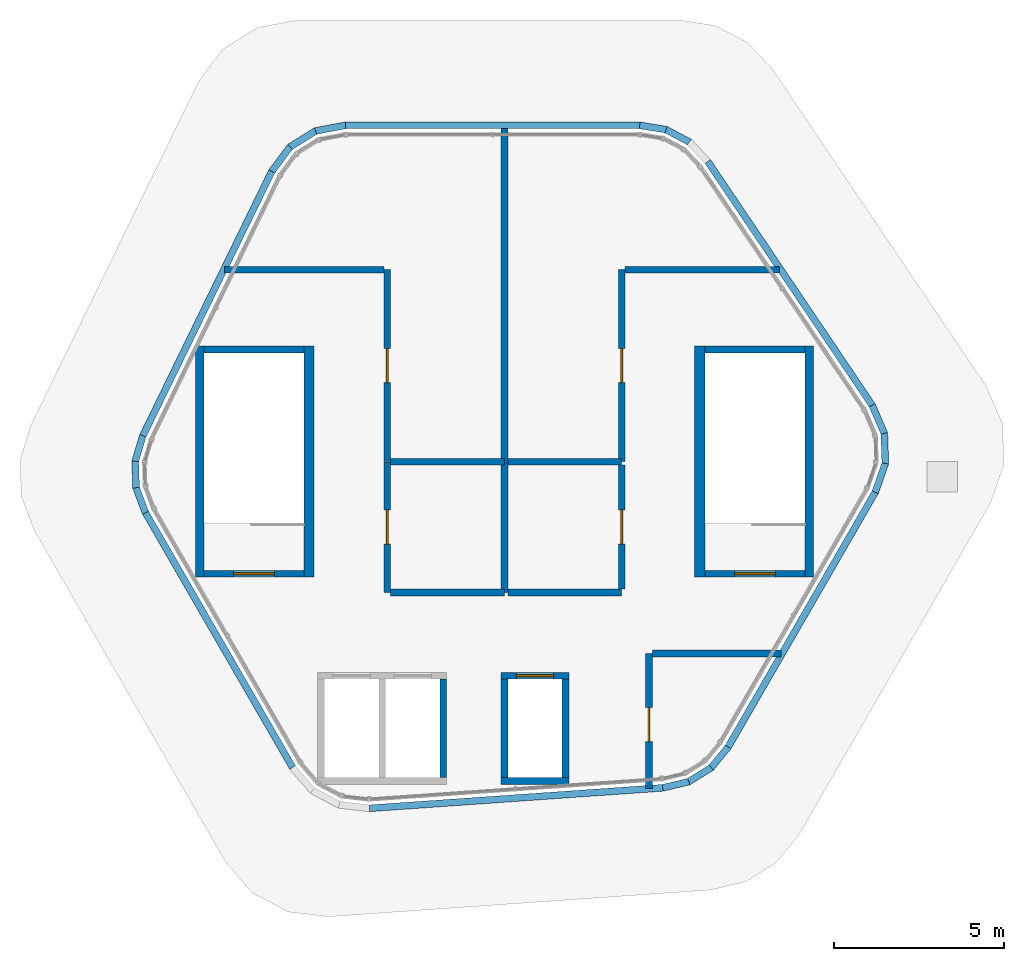
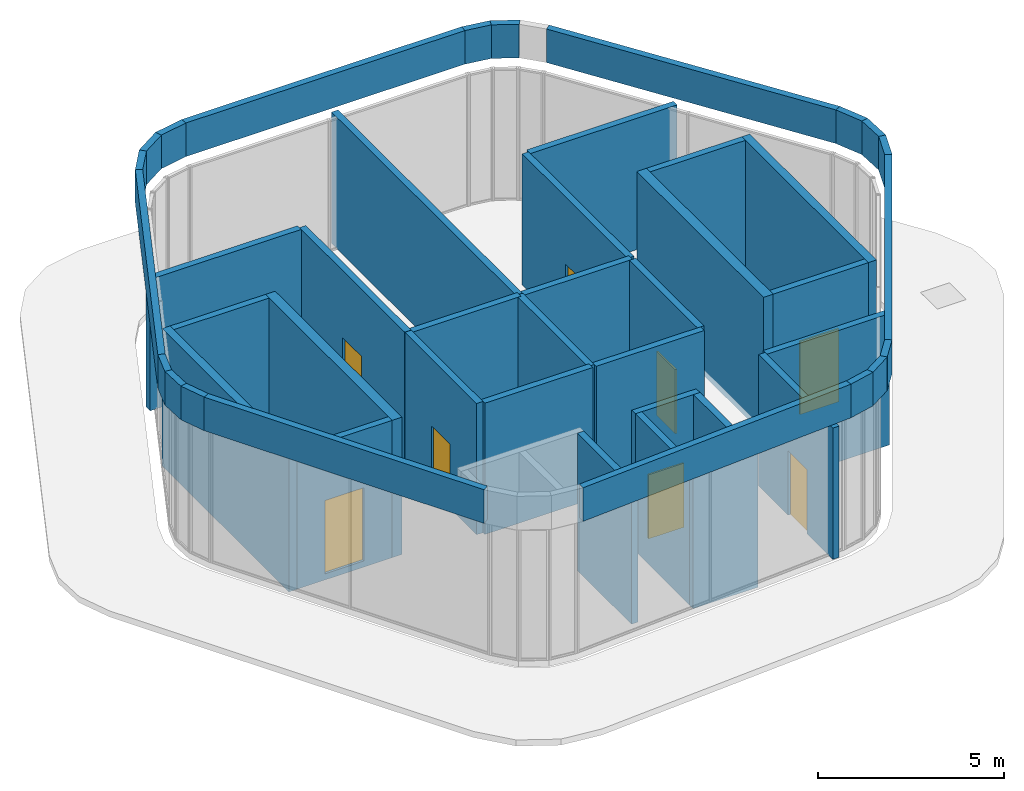
# One storey, part 4 of 6: 47 walls, 8 doors, 8 openings.
"""IFC4 building model written with IfcOpenShell, lengths in metres."""

from ifc_helpers import new_model, si_unit, direction, frame, frame_2d, origin, place, context, subcontext, project, spatial, polyline, rectangle, outline, extrude, material, layer, layer_set, type_object, element, fill, save


model = new_model("IFC4")

# Units and contexts
model_context = context("Model", 3, precision=1e-05, world=origin(), true_north=direction((0.0, 1.0)))
body_context = subcontext(model_context, "Body", "Model", "MODEL_VIEW")
ifc_project = project(units=[si_unit("LENGTHUNIT", "METRE"), si_unit("AREAUNIT", "SQUARE_METRE"), si_unit("VOLUMEUNIT", "CUBIC_METRE"), si_unit("PLANEANGLEUNIT", "RADIAN"), si_unit("MASSUNIT", "GRAM", prefix="KILO")], contexts=[model_context])

# Site, building, storey
site_placement = place(None, origin())
site = spatial("IfcSite", under=ifc_project, at=site_placement, CompositionType="ELEMENT")
building_placement = place(site_placement, origin())
building = spatial("IfcBuilding", under=site, at=building_placement, Name="Tarnside Tower", CompositionType="ELEMENT")
storey_placement = place(building_placement, frame((0.0, 0.0, 406.199951171875)))
storey = spatial("IfcBuildingStorey", under=building, at=storey_placement, Name="L96", CompositionType="ELEMENT", Elevation=406.199951171875)

# Wall
ifc_material_1 = material(Name="Concrete C40/50", Category="concrete")
ifc_layer_1 = layer(ifc_material_1, 0.199951171875)
ifc_layer_set_1 = layer_set([ifc_layer_1], Name="Lift shaft wall 200 C40/50")
wall_type_1 = type_object("IfcWallType", Name="Lift shaft wall 200 C40/50", PredefinedType="SHEAR", material=ifc_layer_set_1)
wall_1_placement = place(storey_placement, frame((-1.800048828125, -9.300048828125, -0.199951171875), z_axis=(0.0, 0.0, 1.0), x_axis=(0.0, 1.0, 0.0)))
element("IfcWall", 1, at=wall_1_placement, inside=storey, type_object=wall_type_1, Name="L96 lift shaft partition R43", PredefinedType="SHEAR", context=body_context, shape_type="SweptSolid", body=[
    extrude(rectangle(XDim=2.900146484375, YDim=0.199951171875, at=frame_2d((1.4501953125, 0.0))), origin(), (0.0, 0.0, 1.0), 4.5),
])

# Wall, opening, door
wall_2_placement = place(storey_placement, frame((-0.10009765625, -6.300048828125, -0.199951171875), z_axis=(0.0, 0.0, 1.0), x_axis=(1.0, 0.0, 0.0)))
wall_2 = element("IfcWall", 2, at=wall_2_placement, inside=storey, type_object=wall_type_1, Name="L96 lift shaft front wall R41", PredefinedType="SHEAR", context=body_context, shape_type="SweptSolid", body=[
    extrude(rectangle(XDim=2.0, YDim=0.199951171875, at=frame_2d((1.0, 0.0))), origin(), (0.0, 0.0, 1.0), 4.5),
])
opening_1_placement = place(wall_2_placement, frame((0.449951171875, 0.0, 0.199951171875)))
opening_1 = element("IfcOpeningElement", 3, at=opening_1_placement, cuts=wall_2, Name="Opening LDF", PredefinedType="OPENING", context=body_context, shape_type="SweptSolid", body=[
    extrude(rectangle(XDim=1.10009765625, YDim=2.10009765625, at=frame_2d((0.550048828125, 1.050048828125))), frame((0.0, 0.10986328125, 0.0), z_axis=(0.0, -1.0, 0.0), x_axis=(1.0, 0.0, 0.0)), (0.0, 0.0, 1.0), 0.219970703125),
])
ifc_material_2 = material(Name="Stainless steel", Category="steel")
door_type_1 = type_object("IfcDoorType", Name="Lift landing door 1100x2100 EI 120", OperationType="NOTDEFINED", PredefinedType="DOOR", material=ifc_material_2)
door_1_placement = place(opening_1_placement, origin())
door_1 = element("IfcDoor", 4, at=door_1_placement, inside=storey, type_object=door_type_1, Name="Firefighting lift 4 landing door L96", OperationType="SLIDING_TO_LEFT", OverallHeight=2.10009765625, OverallWidth=1.10009765625, PredefinedType="DOOR", context=body_context, shape_type="SweptSolid", body=[
    extrude(rectangle(XDim=1.10009765625, YDim=2.10009765625, at=frame_2d((0.550048828125, 1.050048828125))), frame((0.0, 0.02490234375, 0.0), z_axis=(0.0, -1.0, 0.0), x_axis=(1.0, 0.0, 0.0)), (0.0, 0.0, 1.0), 0.050048828125),
])
fill(opening_1, door_1)

# Walls
wall_3_placement = place(storey_placement, frame((-0.10009765625, -9.39990234375, -0.199951171875), z_axis=(0.0, 0.0, 1.0), x_axis=(1.0, 0.0, 0.0)))
element("IfcWall", 5, at=wall_3_placement, inside=storey, type_object=wall_type_1, Name="L96 lift shaft back wall R41", PredefinedType="SHEAR", context=body_context, shape_type="SweptSolid", body=[
    extrude(rectangle(XDim=2.0, YDim=0.199951171875, at=frame_2d((1.0, 0.0))), origin(), (0.0, 0.0, 1.0), 4.5),
])
for number, where, z_axis, x_axis, name in (
    (6, (0.0, -9.300048828125, -0.199951171875), (0.0, 0.0, 1.0), (0.0, 1.0, 0.0), "L96 lift shaft partition R411"),
    (7, (1.800048828125, -9.300048828125, -0.199951171875), (0.0, 0.0, 1.0), (0.0, 1.0, 0.0), "L96 lift shaft partition R412"),
):
    element("IfcWall", number, at=place(storey_placement, frame(where, z_axis=z_axis, x_axis=x_axis)), inside=storey, type_object=wall_type_1, Name=name, PredefinedType="SHEAR", context=body_context, shape_type="SweptSolid", body=[
        extrude(rectangle(XDim=2.900146484375, YDim=0.199951171875, at=frame_2d((1.4501953125, 0.0))), origin(), (0.0, 0.0, 1.0), 4.5),
    ])
wall_4_placement = place(storey_placement, frame((5.89990234375, 3.300048828125, -0.199951171875), z_axis=(0.0, 0.0, 1.0), x_axis=(1.0, 0.0, 0.0)))
element("IfcWall", 8, at=wall_4_placement, inside=storey, type_object=wall_type_1, Name="L96 stair 1 enclosure cap wall n", PredefinedType="SHEAR", context=body_context, shape_type="SweptSolid", body=[
    extrude(rectangle(XDim=2.9501953125, YDim=0.199951171875, at=frame_2d((1.47509765625, 0.0))), origin(), (0.0, 0.0, 1.0), 4.5),
])

# Wall, opening, door
wall_5_placement = place(storey_placement, frame((5.89990234375, -3.300048828125, -0.199951171875), z_axis=(0.0, 0.0, 1.0), x_axis=(1.0, 0.0, 0.0)))
wall_5 = element("IfcWall", 9, at=wall_5_placement, inside=storey, type_object=wall_type_1, Name="L96 stair 1 enclosure cap wall s", PredefinedType="SHEAR", context=body_context, shape_type="SweptSolid", body=[
    extrude(rectangle(XDim=2.9501953125, YDim=0.199951171875, at=frame_2d((1.47509765625, 0.0))), origin(), (0.0, 0.0, 1.0), 4.5),
])
opening_2_placement = place(wall_5_placement, frame((0.875, 0.0, 0.199951171875)))
opening_2 = element("IfcOpeningElement", 10, at=opening_2_placement, cuts=wall_5, Name="Opening CD-STR", PredefinedType="OPENING", context=body_context, shape_type="SweptSolid", body=[
    extrude(rectangle(XDim=1.199951171875, YDim=2.39990234375, at=frame_2d((0.60009765625, 1.199951171875))), frame((0.0, 0.10986328125, 0.0), z_axis=(0.0, -1.0, 0.0), x_axis=(1.0, 0.0, 0.0)), (0.0, 0.0, 1.0), 0.219970703125),
])
ifc_material_3 = material(Name="Steel fire door", Category="steel")
door_type_2 = type_object("IfcDoorType", Name="Stair door FD60S 1200x2400", OperationType="NOTDEFINED", PredefinedType="DOOR", material=ifc_material_3)
door_2_placement = place(opening_2_placement, origin())
door_2 = element("IfcDoor", 11, at=door_2_placement, inside=storey, type_object=door_type_2, Name="L96 stair 1 door", OperationType="SINGLE_SWING_LEFT", OverallHeight=2.39990234375, OverallWidth=1.199951171875, PredefinedType="DOOR", context=body_context, shape_type="SweptSolid", body=[
    extrude(rectangle(XDim=1.199951171875, YDim=2.39990234375, at=frame_2d((0.60009765625, 1.199951171875))), frame((0.0, 0.02490234375, 0.0), z_axis=(0.0, -1.0, 0.0), x_axis=(1.0, 0.0, 0.0)), (0.0, 0.0, 1.0), 0.050048828125),
])
fill(opening_2, door_2)

# Wall
wall_6_placement = place(storey_placement, frame((-8.85009765625, 3.300048828125, -0.199951171875), z_axis=(0.0, 0.0, 1.0), x_axis=(1.0, 0.0, 0.0)))
element("IfcWall", 12, at=wall_6_placement, inside=storey, type_object=wall_type_1, Name="L96 stair 2 enclosure cap wall n", PredefinedType="SHEAR", context=body_context, shape_type="SweptSolid", body=[
    extrude(rectangle(XDim=2.9501953125, YDim=0.199951171875, at=frame_2d((1.47509765625, 0.0))), origin(), (0.0, 0.0, 1.0), 4.5),
])

# Wall, opening, door
wall_7_placement = place(storey_placement, frame((-8.85009765625, -3.300048828125, -0.199951171875), z_axis=(0.0, 0.0, 1.0), x_axis=(1.0, 0.0, 0.0)))
wall_7 = element("IfcWall", 13, at=wall_7_placement, inside=storey, type_object=wall_type_1, Name="L96 stair 2 enclosure cap wall s", PredefinedType="SHEAR", context=body_context, shape_type="SweptSolid", body=[
    extrude(rectangle(XDim=2.9501953125, YDim=0.199951171875, at=frame_2d((1.47509765625, 0.0))), origin(), (0.0, 0.0, 1.0), 4.5),
])
opening_3_placement = place(wall_7_placement, frame((0.875, 0.0, 0.199951171875)))
opening_3 = element("IfcOpeningElement", 14, at=opening_3_placement, cuts=wall_7, Name="Opening CD-STR", PredefinedType="OPENING", context=body_context, shape_type="SweptSolid", body=[
    extrude(rectangle(XDim=1.199951171875, YDim=2.39990234375, at=frame_2d((0.60009765625, 1.199951171875))), frame((0.0, 0.10986328125, 0.0), z_axis=(0.0, -1.0, 0.0), x_axis=(1.0, 0.0, 0.0)), (0.0, 0.0, 1.0), 0.219970703125),
])
door_3_placement = place(opening_3_placement, origin())
door_3 = element("IfcDoor", 15, at=door_3_placement, inside=storey, type_object=door_type_2, Name="L96 stair 2 door", OperationType="SINGLE_SWING_LEFT", OverallHeight=2.39990234375, OverallWidth=1.199951171875, PredefinedType="DOOR", context=body_context, shape_type="SweptSolid", body=[
    extrude(rectangle(XDim=1.199951171875, YDim=2.39990234375, at=frame_2d((0.60009765625, 1.199951171875))), frame((0.0, 0.02490234375, 0.0), z_axis=(0.0, -1.0, 0.0), x_axis=(1.0, 0.0, 0.0)), (0.0, 0.0, 1.0), 0.050048828125),
])
fill(opening_3, door_3)

# Walls
ifc_material_4 = material(Name="Concrete C35/45 precast", Category="concrete")
ifc_layer_2 = layer(ifc_material_4, 0.199951171875)
ifc_layer_set_2 = layer_set([ifc_layer_2], Name="Parapet 200 x 1100")
wall_type_2 = type_object("IfcWallType", Name="Parapet 200 x 1100", PredefinedType="PARAPET", material=ifc_layer_set_2)
wall_8_placement = place(storey_placement, frame((3.979736328125, 9.89990234375, 4.5), z_axis=(0.0, 0.0, 1.0), x_axis=(0.986777234729, -0.162082352589, 0.0)))
element("IfcWall", 16, at=wall_8_placement, inside=storey, type_object=wall_type_2, Name="Roof parapet 01", PredefinedType="PARAPET", context=body_context, shape_type="SweptSolid", body=[
    extrude(outline(polyline([(0.008056640625, -0.10009765625), (0.77001953125, -0.10009765625), (0.802734375, 0.10009765625), (-0.008056640625, 0.10009765625), (0.008056640625, -0.10009765625)])), origin(), (0.0, 0.0, 1.0), 1.10009765625),
])
wall_9_placement = place(storey_placement, frame((4.755615234375, 9.7724609375, 4.5), z_axis=(0.0, 0.0, 1.0), x_axis=(0.882908380549, -0.469545302986, 0.0)))
element("IfcWall", 17, at=wall_9_placement, inside=storey, type_object=wall_type_2, Name="Roof parapet 02", PredefinedType="PARAPET", context=body_context, shape_type="SweptSolid", body=[
    extrude(outline(polyline([(0.016357421875, -0.10009765625), (0.761474609375, -0.10009765625), (0.794189453125, 0.10009765625), (-0.016357421875, 0.10009765625), (0.016357421875, -0.10009765625)])), origin(), (0.0, 0.0, 1.0), 1.10009765625),
])
wall_10_placement = place(storey_placement, frame((5.982177734375, 8.835205078125, 4.5), z_axis=(0.0, 0.0, 1.0), x_axis=(0.559195765234, -0.829035642264, 0.0)))
element("IfcWall", 18, at=wall_10_placement, inside=storey, type_object=wall_type_2, Name="Roof parapet 04", PredefinedType="PARAPET", context=body_context, shape_type="SweptSolid", body=[
    extrude(outline(polyline([(0.008056640625, -0.10009765625), (8.6474609375, -0.10009765625), (8.666015625, 0.10009765625), (-0.008056640625, 0.10009765625), (0.008056640625, -0.10009765625)])), origin(), (0.0, 0.0, 1.0), 1.10009765625),
])
wall_11_placement = place(storey_placement, frame((10.822998046875, 1.658447265625, 4.5), z_axis=(0.0, 0.0, 1.0), x_axis=(0.395888689174, -0.918298505816, 0.0)))
element("IfcWall", 19, at=wall_11_placement, inside=storey, type_object=wall_type_2, Name="Roof parapet 05", PredefinedType="PARAPET", context=body_context, shape_type="SweptSolid", body=[
    extrude(outline(polyline([(0.00927734375, -0.10009765625), (0.87841796875, -0.10009765625), (0.916015625, 0.10009765625), (-0.00927734375, 0.10009765625), (0.00927734375, -0.10009765625)])), origin(), (0.0, 0.0, 1.0), 1.10009765625),
])
wall_12_placement = place(storey_placement, frame((11.17822265625, 0.83447265625, 4.5), z_axis=(0.0, 0.0, 1.0), x_axis=(0.034926393973, -0.999389887383, 0.0)))
element("IfcWall", 20, at=wall_12_placement, inside=storey, type_object=wall_type_2, Name="Roof parapet 06", PredefinedType="PARAPET", context=body_context, shape_type="SweptSolid", body=[
    extrude(outline(polyline([(0.018798828125, -0.10009765625), (0.868896484375, -0.10009765625), (0.906494140625, 0.10009765625), (-0.018798828125, 0.10009765625), (0.018798828125, -0.10009765625)])), origin(), (0.0, 0.0, 1.0), 1.10009765625),
])
wall_13_placement = place(storey_placement, frame((11.209228515625, -0.052734375, 4.5), z_axis=(0.0, 0.0, 1.0), x_axis=(-0.330883680001, -0.943671547896, 0.0)))
element("IfcWall", 21, at=wall_13_placement, inside=storey, type_object=wall_type_2, Name="Roof parapet 07", PredefinedType="PARAPET", context=body_context, shape_type="SweptSolid", body=[
    extrude(outline(polyline([(0.018798828125, -0.10009765625), (0.887939453125, -0.10009765625), (0.906494140625, 0.10009765625), (-0.018798828125, 0.10009765625), (0.018798828125, -0.10009765625)])), origin(), (0.0, 0.0, 1.0), 1.10009765625),
])
wall_14_placement = place(storey_placement, frame((10.912353515625, -0.8994140625, 4.5), z_axis=(0.0, 0.0, 1.0), x_axis=(-0.500015396624, -0.866016514357, 0.0)))
element("IfcWall", 22, at=wall_14_placement, inside=storey, type_object=wall_type_2, Name="Roof parapet 08", PredefinedType="PARAPET", context=body_context, shape_type="SweptSolid", body=[
    extrude(outline(polyline([(0.00927734375, -0.10009765625), (8.64892578125, -0.10009765625), (8.6650390625, 0.10009765625), (-0.00927734375, 0.10009765625), (0.00927734375, -0.10009765625)])), origin(), (0.0, 0.0, 1.0), 1.10009765625),
])
wall_15_placement = place(storey_placement, frame((6.583740234375, -8.396484375, 4.5), z_axis=(0.0, 0.0, 1.0), x_axis=(-0.63377874599, -0.773514383274, 0.0)))
element("IfcWall", 23, at=wall_15_placement, inside=storey, type_object=wall_type_2, Name="Roof parapet 09", PredefinedType="PARAPET", context=body_context, shape_type="SweptSolid", body=[
    extrude(outline(polyline([(0.008056640625, -0.10009765625), (0.769775390625, -0.10009765625), (0.802490234375, 0.10009765625), (-0.008056640625, 0.10009765625), (0.008056640625, -0.10009765625)])), origin(), (0.0, 0.0, 1.0), 1.10009765625),
])
wall_16_placement = place(storey_placement, frame((6.08544921875, -9.004638671875, 4.5), z_axis=(0.0, 0.0, 1.0), x_axis=(-0.848051178058, -0.529914332127, 0.0)))
element("IfcWall", 24, at=wall_16_placement, inside=storey, type_object=wall_type_2, Name="Roof parapet 10", PredefinedType="PARAPET", context=body_context, shape_type="SweptSolid", body=[
    extrude(outline(polyline([(0.016357421875, -0.10009765625), (0.76171875, -0.10009765625), (0.79443359375, 0.10009765625), (-0.016357421875, 0.10009765625), (0.016357421875, -0.10009765625)])), origin(), (0.0, 0.0, 1.0), 1.10009765625),
])
wall_17_placement = place(storey_placement, frame((5.425537109375, -9.4169921875, 4.5), z_axis=(0.0, 0.0, 1.0), x_axis=(-0.973012429329, -0.230752708264, 0.0)))
element("IfcWall", 25, at=wall_17_placement, inside=storey, type_object=wall_type_2, Name="Roof parapet 11", PredefinedType="PARAPET", context=body_context, shape_type="SweptSolid", body=[
    extrude(outline(polyline([(0.016357421875, -0.10009765625), (0.778076171875, -0.10009765625), (0.794189453125, 0.10009765625), (-0.016357421875, 0.10009765625), (0.016357421875, -0.10009765625)])), origin(), (0.0, 0.0, 1.0), 1.10009765625),
])
wall_18_placement = place(storey_placement, frame((4.66064453125, -9.598388671875, 4.5), z_axis=(0.0, 0.0, 1.0), x_axis=(-0.997564935638, -0.069743811089, 0.0)))
element("IfcWall", 26, at=wall_18_placement, inside=storey, type_object=wall_type_2, Name="Roof parapet 12", PredefinedType="PARAPET", context=body_context, shape_type="SweptSolid", body=[
    extrude(outline(polyline([(0.008056640625, -0.10009765625), (8.6474609375, -0.10009765625), (8.666015625, 0.10009765625), (-0.008056640625, 0.10009765625), (0.008056640625, -0.10009765625)])), origin(), (0.0, 0.0, 1.0), 1.10009765625),
])
wall_19_placement = place(storey_placement, frame((-6.235107421875, -9.00048828125, 4.5), z_axis=(0.0, 0.0, 1.0), x_axis=(-0.499994245368, 0.866028726197, 0.0)))
element("IfcWall", 27, at=wall_19_placement, inside=storey, type_object=wall_type_2, Name="Roof parapet 16", PredefinedType="PARAPET", context=body_context, shape_type="SweptSolid", body=[
    extrude(outline(polyline([(0.00927734375, -0.10009765625), (8.648681640625, -0.10009765625), (8.664794921875, 0.10009765625), (-0.00927734375, 0.10009765625), (0.00927734375, -0.10009765625)])), origin(), (0.0, 0.0, 1.0), 1.10009765625),
])
wall_20_placement = place(storey_placement, frame((-10.5634765625, -1.50341796875, 4.5), z_axis=(0.0, 0.0, 1.0), x_axis=(-0.353062381009, 0.935599783623, 0.0)))
element("IfcWall", 28, at=wall_20_placement, inside=storey, type_object=wall_type_2, Name="Roof parapet 17", PredefinedType="PARAPET", context=body_context, shape_type="SweptSolid", body=[
    extrude(outline(polyline([(0.008056640625, -0.10009765625), (0.769775390625, -0.10009765625), (0.802490234375, 0.10009765625), (-0.008056640625, 0.10009765625), (0.008056640625, -0.10009765625)])), origin(), (0.0, 0.0, 1.0), 1.10009765625),
])
wall_21_placement = place(storey_placement, frame((-10.841064453125, -0.767822265625, 4.5), z_axis=(0.0, 0.0, 1.0), x_axis=(-0.034829718055, 0.999393261304, 0.0)))
element("IfcWall", 29, at=wall_21_placement, inside=storey, type_object=wall_type_2, Name="Roof parapet 18", PredefinedType="PARAPET", context=body_context, shape_type="SweptSolid", body=[
    extrude(outline(polyline([(0.016357421875, -0.10009765625), (0.76171875, -0.10009765625), (0.79443359375, 0.10009765625), (-0.016357421875, 0.10009765625), (0.016357421875, -0.10009765625)])), origin(), (0.0, 0.0, 1.0), 1.10009765625),
])
wall_22_placement = place(storey_placement, frame((-10.8681640625, 0.009765625, 4.5), z_axis=(0.0, 0.0, 1.0), x_axis=(0.286920535786, 0.957954386255, 0.0)))
element("IfcWall", 30, at=wall_22_placement, inside=storey, type_object=wall_type_2, Name="Roof parapet 19", PredefinedType="PARAPET", context=body_context, shape_type="SweptSolid", body=[
    extrude(outline(polyline([(0.016357421875, -0.10009765625), (0.778076171875, -0.10009765625), (0.794189453125, 0.10009765625), (-0.016357421875, 0.10009765625), (0.016357421875, -0.10009765625)])), origin(), (0.0, 0.0, 1.0), 1.10009765625),
])
wall_23_placement = place(storey_placement, frame((-10.642578125, 0.762939453125, 4.5), z_axis=(0.0, 0.0, 1.0), x_axis=(0.438370290227, 0.898794464072, 0.0)))
element("IfcWall", 31, at=wall_23_placement, inside=storey, type_object=wall_type_2, Name="Roof parapet 20", PredefinedType="PARAPET", context=body_context, shape_type="SweptSolid", body=[
    extrude(outline(polyline([(0.008056640625, -0.10009765625), (8.647705078125, -0.10009765625), (8.666259765625, 0.10009765625), (-0.008056640625, 0.10009765625), (0.008056640625, -0.10009765625)])), origin(), (0.0, 0.0, 1.0), 1.10009765625),
])
wall_24_placement = place(storey_placement, frame((-6.84765625, 8.543701171875, 4.5), z_axis=(0.0, 0.0, 1.0), x_axis=(0.597210287038, 0.802084704414, 0.0)))
element("IfcWall", 32, at=wall_24_placement, inside=storey, type_object=wall_type_2, Name="Roof parapet 21", PredefinedType="PARAPET", context=body_context, shape_type="SweptSolid", body=[
    extrude(outline(polyline([(0.00927734375, -0.10009765625), (0.87841796875, -0.10009765625), (0.916015625, 0.10009765625), (-0.00927734375, 0.10009765625), (0.00927734375, -0.10009765625)])), origin(), (0.0, 0.0, 1.0), 1.10009765625),
])
wall_25_placement = place(storey_placement, frame((-6.311767578125, 9.263427734375, 4.5), z_axis=(0.0, 0.0, 1.0), x_axis=(0.84798285133, 0.530023663481, 0.0)))
element("IfcWall", 33, at=wall_25_placement, inside=storey, type_object=wall_type_2, Name="Roof parapet 22", PredefinedType="PARAPET", context=body_context, shape_type="SweptSolid", body=[
    extrude(outline(polyline([(0.018798828125, -0.10009765625), (0.868896484375, -0.10009765625), (0.906494140625, 0.10009765625), (-0.018798828125, 0.10009765625), (0.018798828125, -0.10009765625)])), origin(), (0.0, 0.0, 1.0), 1.10009765625),
])
wall_26_placement = place(storey_placement, frame((-5.55908203125, 9.73388671875, 4.5), z_axis=(0.0, 0.0, 1.0), x_axis=(0.982736396807, 0.185011281791, 0.0)))
element("IfcWall", 34, at=wall_26_placement, inside=storey, type_object=wall_type_2, Name="Roof parapet 23", PredefinedType="PARAPET", context=body_context, shape_type="SweptSolid", body=[
    extrude(outline(polyline([(0.018798828125, -0.10009765625), (0.887939453125, -0.10009765625), (0.906494140625, 0.10009765625), (-0.018798828125, 0.10009765625), (0.018798828125, -0.10009765625)])), origin(), (0.0, 0.0, 1.0), 1.10009765625),
])
wall_27_placement = place(storey_placement, frame((-4.67724609375, 9.89990234375, 4.5), z_axis=(0.0, 0.0, 1.0), x_axis=(1.0, 0.0, 0.0)))
element("IfcWall", 35, at=wall_27_placement, inside=storey, type_object=wall_type_2, Name="Roof parapet 24", PredefinedType="PARAPET", context=body_context, shape_type="SweptSolid", body=[
    extrude(outline(polyline([(0.00927734375, -0.10009765625), (8.64892578125, -0.10009765625), (8.6650390625, 0.10009765625), (-0.00927734375, 0.10009765625), (0.00927734375, -0.10009765625)])), origin(), (0.0, 0.0, 1.0), 1.10009765625),
])
ifc_layer_3 = layer(ifc_material_1, 0.25)
ifc_layer_set_3 = layer_set([ifc_layer_3], Name="Stair enclosure wall 250 C40/50")
wall_type_3 = type_object("IfcWallType", Name="Stair enclosure wall 250 C40/50", PredefinedType="SHEAR", material=ifc_layer_set_3)
for number, where, z_axis, x_axis, name in (
    (36, (8.97509765625, -3.39990234375, -0.199951171875), (0.0, 0.0, 1.0), (0.0, 1.0, 0.0), "L96 stair 1 enclosure wall outer"),
    (37, (-8.97509765625, -3.39990234375, -0.199951171875), (0.0, 0.0, 1.0), (0.0, 1.0, 0.0), "L96 stair 2 enclosure wall outer"),
):
    element("IfcWall", number, at=place(storey_placement, frame(where, z_axis=z_axis, x_axis=x_axis)), inside=storey, type_object=wall_type_3, Name=name, PredefinedType="SHEAR", context=body_context, shape_type="SweptSolid", body=[
        extrude(rectangle(XDim=6.7998046875, YDim=0.25, at=frame_2d((3.39990234375, 0.0))), origin(), (0.0, 0.0, 1.0), 4.5),
    ])
ifc_layer_4 = layer(ifc_material_1, 0.300048828125)
ifc_layer_set_4 = layer_set([ifc_layer_4], Name="Stair enclosure wall 300 C40/50")
wall_type_4 = type_object("IfcWallType", Name="Stair enclosure wall 300 C40/50", PredefinedType="SHEAR", material=ifc_layer_set_4)
for number, where, z_axis, x_axis, name in (
    (38, (5.75, -3.39990234375, -0.199951171875), (0.0, 0.0, 1.0), (0.0, 1.0, 0.0), "L96 stair 1 enclosure wall inner"),
    (39, (-5.75, -3.39990234375, -0.199951171875), (0.0, 0.0, 1.0), (0.0, 1.0, 0.0), "L96 stair 2 enclosure wall inner"),
):
    element("IfcWall", number, at=place(storey_placement, frame(where, z_axis=z_axis, x_axis=x_axis)), inside=storey, type_object=wall_type_4, Name=name, PredefinedType="SHEAR", context=body_context, shape_type="SweptSolid", body=[
        extrude(rectangle(XDim=6.7998046875, YDim=0.300048828125, at=frame_2d((3.39990234375, 0.0))), origin(), (0.0, 0.0, 1.0), 4.5),
    ])

# Wall, opening, door
ifc_material_5 = material(Name="Concrete C32/40", Category="concrete")
ifc_layer_5 = layer(ifc_material_5, 0.199951171875)
ifc_layer_set_5 = layer_set([ifc_layer_5], Name="Wall 200 reinforced Concrete C32/40")
wall_type_5 = type_object("IfcWallType", Name="Wall 200 reinforced Concrete C32/40", PredefinedType="PARTITIONING", material=ifc_layer_set_5)
wall_28_placement = place(storey_placement, frame((-3.449951171875, -0.0029296875, 0.0), z_axis=(0.0, 0.0, 1.0), x_axis=(0.0, -1.0, 0.0)))
wall_28 = element("IfcWall", 40, at=wall_28_placement, inside=storey, type_object=wall_type_5, Name="Partition 000", PredefinedType="PARTITIONING", context=body_context, shape_type="SweptSolid", body=[
    extrude(rectangle(XDim=3.84716796875, YDim=0.199951171875, at=frame_2d((1.923583984375, 0.0))), origin(), (0.0, 0.0, 1.0), 4.300048828125),
])
opening_4_placement = place(wall_28_placement, frame((1.423583984375, 0.0, 0.0)))
opening_4 = element("IfcOpeningElement", 41, at=opening_4_placement, cuts=wall_28, Name="Opening D1000F60", PredefinedType="OPENING", context=body_context, shape_type="SweptSolid", body=[
    extrude(rectangle(XDim=1.0, YDim=2.10009765625, at=frame_2d((0.5, 1.050048828125))), frame((0.0, 0.10986328125, 0.0), z_axis=(0.0, -1.0, 0.0), x_axis=(1.0, 0.0, 0.0)), (0.0, 0.0, 1.0), 0.219970703125),
])
ifc_material_6 = material(Name="Timber door leaf", Category="wood")
door_type_3 = type_object("IfcDoorType", Name="Door 1000 x 2100 single leaf FD60 fire door", OperationType="NOTDEFINED", PredefinedType="DOOR", material=ifc_material_6)
door_4_placement = place(opening_4_placement, origin())
door_4 = element("IfcDoor", 42, at=door_4_placement, inside=storey, type_object=door_type_3, Name="Door L96-01", OperationType="SINGLE_SWING_RIGHT", OverallHeight=2.10009765625, OverallWidth=1.0, PredefinedType="DOOR", context=body_context, shape_type="SweptSolid", body=[
    extrude(rectangle(XDim=1.0, YDim=2.10009765625, at=frame_2d((0.5, 1.050048828125))), frame((0.0, 0.02490234375, 0.0), z_axis=(0.0, -1.0, 0.0), x_axis=(1.0, 0.0, 0.0)), (0.0, 0.0, 1.0), 0.050048828125),
])
fill(opening_4, door_4)

# Wall
wall_29_placement = place(storey_placement, frame((-3.35009765625, -0.0029296875, 0.0), z_axis=(0.0, 0.0, 1.0), x_axis=(1.0, 0.0, 0.0)))
element("IfcWall", 43, at=wall_29_placement, inside=storey, type_object=wall_type_5, Name="Partition 001", PredefinedType="PARTITIONING", context=body_context, shape_type="SweptSolid", body=[
    extrude(rectangle(XDim=3.34716796875, YDim=0.199951171875, at=frame_2d((1.673583984375, 0.0))), origin(), (0.0, 0.0, 1.0), 4.300048828125),
])

# Wall, opening, door
wall_30_placement = place(storey_placement, frame((-3.449951171875, 5.64990234375, 0.0), z_axis=(0.0, 0.0, 1.0), x_axis=(0.0, -1.0, 0.0)))
wall_30 = element("IfcWall", 44, at=wall_30_placement, inside=storey, type_object=wall_type_5, Name="Partition 002", PredefinedType="PARTITIONING", context=body_context, shape_type="SweptSolid", body=[
    extrude(rectangle(XDim=5.64697265625, YDim=0.199951171875, at=frame_2d((2.823486328125, 0.0))), origin(), (0.0, 0.0, 1.0), 4.300048828125),
])
opening_5_placement = place(wall_30_placement, frame((2.323486328125, 0.0, 0.0)))
opening_5 = element("IfcOpeningElement", 45, at=opening_5_placement, cuts=wall_30, Name="Opening D1000F60", PredefinedType="OPENING", context=body_context, shape_type="SweptSolid", body=[
    extrude(rectangle(XDim=1.0, YDim=2.10009765625, at=frame_2d((0.5, 1.050048828125))), frame((0.0, 0.10986328125, 0.0), z_axis=(0.0, -1.0, 0.0), x_axis=(1.0, 0.0, 0.0)), (0.0, 0.0, 1.0), 0.219970703125),
])
door_5_placement = place(opening_5_placement, origin())
door_5 = element("IfcDoor", 46, at=door_5_placement, inside=storey, type_object=door_type_3, Name="Door L96-02", OperationType="SINGLE_SWING_LEFT", OverallHeight=2.10009765625, OverallWidth=1.0, PredefinedType="DOOR", context=body_context, shape_type="SweptSolid", body=[
    extrude(rectangle(XDim=1.0, YDim=2.10009765625, at=frame_2d((0.5, 1.050048828125))), frame((0.0, 0.02490234375, 0.0), z_axis=(0.0, -1.0, 0.0), x_axis=(1.0, 0.0, 0.0)), (0.0, 0.0, 1.0), 0.050048828125),
])
fill(opening_5, door_5)

# Walls
wall_31_placement = place(storey_placement, frame((-3.550048828125, 5.64990234375, 0.0), z_axis=(0.0, 0.0, 1.0), x_axis=(-1.0, 0.0, 0.0)))
element("IfcWall", 47, at=wall_31_placement, inside=storey, type_object=wall_type_5, Name="Partition 003", PredefinedType="PARTITIONING", context=body_context, shape_type="SweptSolid", body=[
    extrude(rectangle(XDim=4.68701171875, YDim=0.199951171875, at=frame_2d((2.343505859375, 0.0))), origin(), (0.0, 0.0, 1.0), 4.300048828125),
])
wall_32_placement = place(storey_placement, frame((-0.0029296875, -3.85009765625, 0.0), z_axis=(0.0, 0.0, 1.0), x_axis=(-1.0, 0.0, 0.0)))
element("IfcWall", 48, at=wall_32_placement, inside=storey, type_object=wall_type_5, Name="Partition 004", PredefinedType="PARTITIONING", context=body_context, shape_type="SweptSolid", body=[
    extrude(rectangle(XDim=3.34716796875, YDim=0.199951171875, at=frame_2d((1.673583984375, 0.0))), origin(), (0.0, 0.0, 1.0), 4.300048828125),
])
wall_33_placement = place(storey_placement, frame((-0.0029296875, 9.89990234375, 0.0), z_axis=(0.0, 0.0, 1.0), x_axis=(0.0, -1.0, 0.0)))
element("IfcWall", 49, at=wall_33_placement, inside=storey, type_object=wall_type_5, Name="Partition 005", PredefinedType="PARTITIONING", context=body_context, shape_type="SweptSolid", body=[
    extrude(rectangle(XDim=9.89697265625, YDim=0.199951171875, at=frame_2d((4.948486328125, 0.0))), origin(), (0.0, 0.0, 1.0), 4.300048828125),
])
wall_34_placement = place(storey_placement, frame((0.0029296875, -3.85009765625, 0.0), z_axis=(0.0, 0.0, 1.0), x_axis=(0.0, 1.0, 0.0)))
element("IfcWall", 50, at=wall_34_placement, inside=storey, type_object=wall_type_5, Name="Partition 006", PredefinedType="PARTITIONING", context=body_context, shape_type="SweptSolid", body=[
    extrude(rectangle(XDim=3.84716796875, YDim=0.199951171875, at=frame_2d((1.923583984375, 0.0))), origin(), (0.0, 0.0, 1.0), 4.300048828125),
])
for number, where, z_axis, x_axis, name in (
    (51, (0.10302734375, -0.0029296875, 0.0), (0.0, 0.0, 1.0), (1.0, 0.0, 0.0), "Partition 007"),
    (52, (3.449951171875, -3.85009765625, 0.0), (0.0, 0.0, 1.0), (-1.0, 0.0, 0.0), "Partition 008"),
):
    element("IfcWall", number, at=place(storey_placement, frame(where, z_axis=z_axis, x_axis=x_axis)), inside=storey, type_object=wall_type_5, Name=name, PredefinedType="PARTITIONING", context=body_context, shape_type="SweptSolid", body=[
        extrude(rectangle(XDim=3.346923828125, YDim=0.199951171875, at=frame_2d((1.67333984375, 0.0))), origin(), (0.0, 0.0, 1.0), 4.300048828125),
    ])

# Wall, opening, door
wall_35_placement = place(storey_placement, frame((3.449951171875, -3.75, 0.0), z_axis=(0.0, 0.0, 1.0), x_axis=(0.0, 1.0, 0.0)))
wall_35 = element("IfcWall", 53, at=wall_35_placement, inside=storey, type_object=wall_type_5, Name="Partition 009", PredefinedType="PARTITIONING", context=body_context, shape_type="SweptSolid", body=[
    extrude(rectangle(XDim=3.64697265625, YDim=0.199951171875, at=frame_2d((1.823486328125, 0.0))), origin(), (0.0, 0.0, 1.0), 4.300048828125),
])
opening_6_placement = place(wall_35_placement, frame((1.323486328125, 0.0, 0.0)))
opening_6 = element("IfcOpeningElement", 54, at=opening_6_placement, cuts=wall_35, Name="Opening D1000F60", PredefinedType="OPENING", context=body_context, shape_type="SweptSolid", body=[
    extrude(rectangle(XDim=1.0, YDim=2.10009765625, at=frame_2d((0.5, 1.050048828125))), frame((0.0, 0.10986328125, 0.0), z_axis=(0.0, -1.0, 0.0), x_axis=(1.0, 0.0, 0.0)), (0.0, 0.0, 1.0), 0.219970703125),
])
door_6_placement = place(opening_6_placement, origin())
door_6 = element("IfcDoor", 55, at=door_6_placement, inside=storey, type_object=door_type_3, Name="Door L96-03", OperationType="SINGLE_SWING_RIGHT", OverallHeight=2.10009765625, OverallWidth=1.0, PredefinedType="DOOR", context=body_context, shape_type="SweptSolid", body=[
    extrude(rectangle(XDim=1.0, YDim=2.10009765625, at=frame_2d((0.5, 1.050048828125))), frame((0.0, 0.02490234375, 0.0), z_axis=(0.0, -1.0, 0.0), x_axis=(1.0, 0.0, 0.0)), (0.0, 0.0, 1.0), 0.050048828125),
])
fill(opening_6, door_6)

wall_36_placement = place(storey_placement, frame((3.449951171875, 0.0029296875, 0.0), z_axis=(0.0, 0.0, 1.0), x_axis=(0.0, 1.0, 0.0)))
wall_36 = element("IfcWall", 56, at=wall_36_placement, inside=storey, type_object=wall_type_5, Name="Partition 010", PredefinedType="PARTITIONING", context=body_context, shape_type="SweptSolid", body=[
    extrude(rectangle(XDim=5.64697265625, YDim=0.199951171875, at=frame_2d((2.823486328125, 0.0))), origin(), (0.0, 0.0, 1.0), 4.300048828125),
])
opening_7_placement = place(wall_36_placement, frame((2.323486328125, 0.0, 0.0)))
opening_7 = element("IfcOpeningElement", 57, at=opening_7_placement, cuts=wall_36, Name="Opening D1000F60", PredefinedType="OPENING", context=body_context, shape_type="SweptSolid", body=[
    extrude(rectangle(XDim=1.0, YDim=2.10009765625, at=frame_2d((0.5, 1.050048828125))), frame((0.0, 0.10986328125, 0.0), z_axis=(0.0, -1.0, 0.0), x_axis=(1.0, 0.0, 0.0)), (0.0, 0.0, 1.0), 0.219970703125),
])
door_7_placement = place(opening_7_placement, origin())
door_7 = element("IfcDoor", 58, at=door_7_placement, inside=storey, type_object=door_type_3, Name="Door L96-04", OperationType="SINGLE_SWING_LEFT", OverallHeight=2.10009765625, OverallWidth=1.0, PredefinedType="DOOR", context=body_context, shape_type="SweptSolid", body=[
    extrude(rectangle(XDim=1.0, YDim=2.10009765625, at=frame_2d((0.5, 1.050048828125))), frame((0.0, 0.02490234375, 0.0), z_axis=(0.0, -1.0, 0.0), x_axis=(1.0, 0.0, 0.0)), (0.0, 0.0, 1.0), 0.050048828125),
])
fill(opening_7, door_7)

wall_37_placement = place(storey_placement, frame((4.25, -5.64990234375, 0.0), z_axis=(0.0, 0.0, 1.0), x_axis=(0.0, -1.0, 0.0)))
wall_37 = element("IfcWall", 59, at=wall_37_placement, inside=storey, type_object=wall_type_5, Name="Partition 011", PredefinedType="PARTITIONING", context=body_context, shape_type="SweptSolid", body=[
    extrude(rectangle(XDim=3.97607421875, YDim=0.199951171875, at=frame_2d((1.988037109375, 0.0))), origin(), (0.0, 0.0, 1.0), 4.300048828125),
])
opening_8_placement = place(wall_37_placement, frame((1.587890625, 0.0, 0.0)))
opening_8 = element("IfcOpeningElement", 60, at=opening_8_placement, cuts=wall_37, Name="Opening D1000F60", PredefinedType="OPENING", context=body_context, shape_type="SweptSolid", body=[
    extrude(rectangle(XDim=1.0, YDim=2.10009765625, at=frame_2d((0.5, 1.050048828125))), frame((0.0, 0.10986328125, 0.0), z_axis=(0.0, -1.0, 0.0), x_axis=(1.0, 0.0, 0.0)), (0.0, 0.0, 1.0), 0.219970703125),
])
door_8_placement = place(opening_8_placement, origin())
door_8 = element("IfcDoor", 61, at=door_8_placement, inside=storey, type_object=door_type_3, Name="Door L96-05", OperationType="SINGLE_SWING_RIGHT", OverallHeight=2.10009765625, OverallWidth=1.0, PredefinedType="DOOR", context=body_context, shape_type="SweptSolid", body=[
    extrude(rectangle(XDim=1.0, YDim=2.10009765625, at=frame_2d((0.5, 1.050048828125))), frame((0.0, 0.02490234375, 0.0), z_axis=(0.0, -1.0, 0.0), x_axis=(1.0, 0.0, 0.0)), (0.0, 0.0, 1.0), 0.050048828125),
])
fill(opening_8, door_8)

# Walls
wall_38_placement = place(storey_placement, frame((4.35009765625, -5.64990234375, 0.0), z_axis=(0.0, 0.0, 1.0), x_axis=(1.0, 0.0, 0.0)))
element("IfcWall", 62, at=wall_38_placement, inside=storey, type_object=wall_type_5, Name="Partition 012", PredefinedType="PARTITIONING", context=body_context, shape_type="SweptSolid", body=[
    extrude(rectangle(XDim=3.788818359375, YDim=0.199951171875, at=frame_2d((1.89453125, 0.0))), origin(), (0.0, 0.0, 1.0), 4.300048828125),
])
wall_39_placement = place(storey_placement, frame((8.090087890625, 5.64990234375, 0.0), z_axis=(0.0, 0.0, 1.0), x_axis=(-1.0, 0.0, 0.0)))
element("IfcWall", 63, at=wall_39_placement, inside=storey, type_object=wall_type_5, Name="Partition 013", PredefinedType="PARTITIONING", context=body_context, shape_type="SweptSolid", body=[
    extrude(rectangle(XDim=4.5400390625, YDim=0.199951171875, at=frame_2d((2.27001953125, 0.0))), origin(), (0.0, 0.0, 1.0), 4.300048828125),
])

save(model, "model.ifc")
